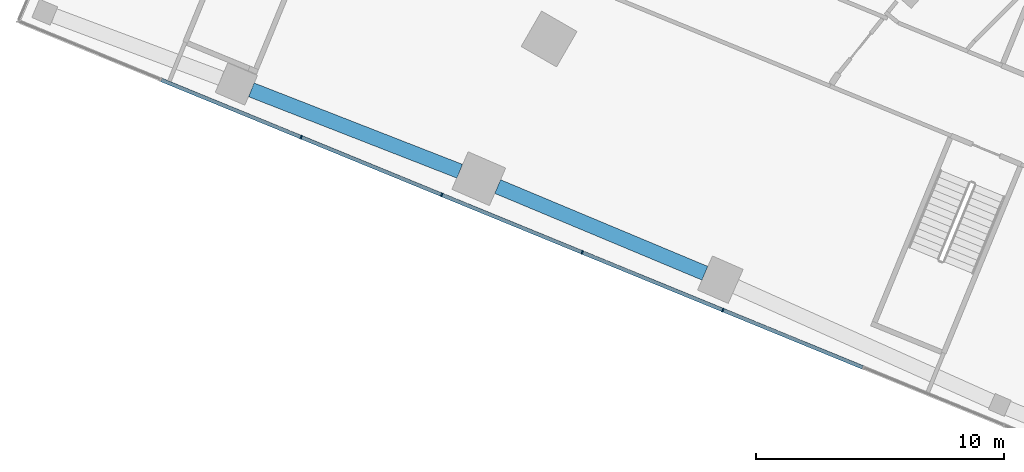
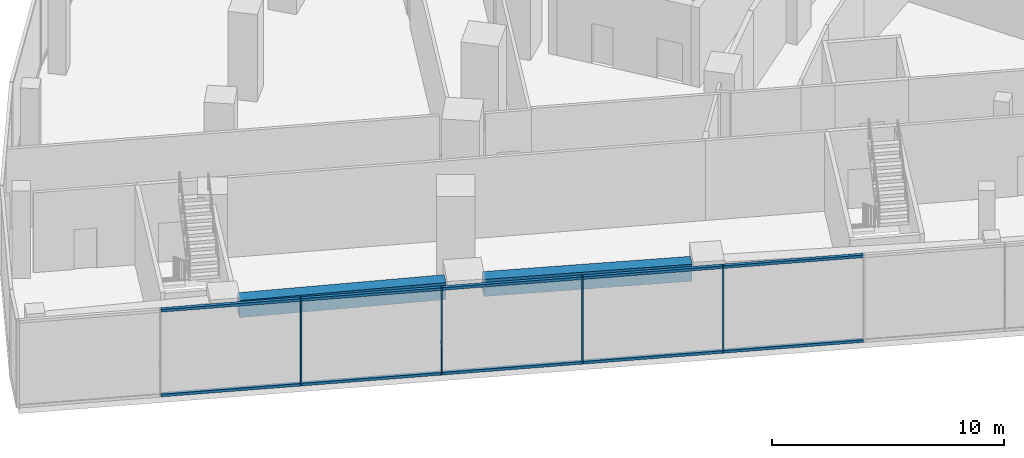
# One storey, part 2 of 39: 14 members, 2 beams, 1 element without a shape of its own.
"""IFC4 building model written with IfcOpenShell, lengths in metres."""

from ifc_helpers import new_model, si_unit, direction, frame, origin, origin_2d, place, context, subcontext, project, spatial, rectangle, extrude, material, layer, layer_set, material_profile, profile_set, type_object, element, aggregate, save


model = new_model("IFC4")

# Units and contexts
model_context = context("Model", 3, precision=1e-05, world=origin(), true_north=direction((0.0, 1.0)))
body_context = subcontext(model_context, "Body", "Model", "MODEL_VIEW")
ifc_project = project(units=[si_unit("LENGTHUNIT", "METRE"), si_unit("AREAUNIT", "SQUARE_METRE"), si_unit("VOLUMEUNIT", "CUBIC_METRE"), si_unit("PLANEANGLEUNIT", "RADIAN"), si_unit("MASSUNIT", "GRAM", prefix="KILO")], contexts=[model_context])

# Site, building, storey
site_placement = place(None, origin())
site = spatial("IfcSite", under=ifc_project, at=site_placement, CompositionType="ELEMENT")
building_placement = place(site_placement, origin())
building = spatial("IfcBuilding", under=site, at=building_placement, Name="Stone Belt Terrace Tower", CompositionType="ELEMENT")
storey_placement = place(building_placement, frame((0.0, 0.0, 16.199951171875)))
storey = spatial("IfcBuildingStorey", under=building, at=storey_placement, Name="L03", CompositionType="ELEMENT", Elevation=16.199951171875)

# Curtain wall, members
ifc_material_1 = material(Name="Aluminium 6063-T6 anodised frame", Category="aluminium")
ifc_layer = layer(ifc_material_1, 0.14990234375)
ifc_layer_set = layer_set([ifc_layer], Name="CW-D podium shopfront")
curtain_wall_type = type_object("IfcCurtainWallType", Name="CW-D podium shopfront", PredefinedType="NOTDEFINED", material=ifc_layer_set)
curtain_wall_placement = place(storey_placement, origin())
curtain_wall = element("IfcCurtainWall", 1, at=curtain_wall_placement, inside=storey, type_object=curtain_wall_type, Name="CW-D end face L03", PredefinedType="NOTDEFINED")
ifc_material_profile_1 = material_profile(ifc_material_1, rectangle(XDim=0.14990234375, YDim=0.06005859375, at=origin_2d()), Name="Aluminium 6063-T6 60x150")
ifc_profile_set_1 = profile_set([ifc_material_profile_1], Name="Aluminium 6063-T6 anodised frame")
member_type_1 = type_object("IfcMemberType", Name="CW-D mullion 60 x 150", PredefinedType="MULLION", material=ifc_profile_set_1)
member_1_placement = place(storey_placement, frame((-57.628173828125, 23.53857421875, 0.0), z_axis=(0.0, 0.0, 1.0), x_axis=(0.379243093825, 0.925297074342, 0.0)))
member_1 = element("IfcMember", 2, at=member_1_placement, type_object=member_type_1, Name="CW-D mullion 3", PredefinedType="MULLION", context=body_context, shape_type="SweptSolid", body=[
    extrude(rectangle(XDim=0.14990234375, YDim=0.06005859375, at=origin_2d()), origin(), (0.0, 0.0, 1.0), 4.60009765625),
])
member_2_placement = place(storey_placement, frame((-51.960693359375, 21.215576171875, 0.0), z_axis=(0.0, 0.0, 1.0), x_axis=(0.379243093825, 0.925297074342, 0.0)))
member_2 = element("IfcMember", 3, at=member_2_placement, type_object=member_type_1, Name="CW-D mullion 4", PredefinedType="MULLION", context=body_context, shape_type="SweptSolid", body=[
    extrude(rectangle(XDim=0.14990234375, YDim=0.06005859375, at=origin_2d()), origin(), (0.0, 0.0, 1.0), 4.60009765625),
])
member_3_placement = place(storey_placement, frame((-46.293212890625, 18.892822265625, 0.0), z_axis=(0.0, 0.0, 1.0), x_axis=(0.379243093825, 0.925297074342, 0.0)))
member_3 = element("IfcMember", 4, at=member_3_placement, type_object=member_type_1, Name="CW-D mullion 5", PredefinedType="MULLION", context=body_context, shape_type="SweptSolid", body=[
    extrude(rectangle(XDim=0.14990234375, YDim=0.06005859375, at=origin_2d()), origin(), (0.0, 0.0, 1.0), 4.60009765625),
])
member_4_placement = place(storey_placement, frame((-40.625732421875, 16.56982421875, 0.0), z_axis=(0.0, 0.0, 1.0), x_axis=(0.379243093825, 0.925297074342, 0.0)))
member_4 = element("IfcMember", 5, at=member_4_placement, type_object=member_type_1, Name="CW-D mullion 6", PredefinedType="MULLION", context=body_context, shape_type="SweptSolid", body=[
    extrude(rectangle(XDim=0.14990234375, YDim=0.06005859375, at=origin_2d()), origin(), (0.0, 0.0, 1.0), 4.60009765625),
])
ifc_material_profile_2 = material_profile(ifc_material_1, rectangle(XDim=0.14990234375, YDim=0.139892578125, at=origin_2d()), Name="Aluminium 6063-T6 150x140")
ifc_profile_set_2 = profile_set([ifc_material_profile_2], Name="Aluminium 6063-T6 anodised frame")
member_type_2 = type_object("IfcMemberType", Name="CW-D transom 140 x 150", PredefinedType="USERDEFINED", material=ifc_profile_set_2)
member_5_placement = place(storey_placement, frame((-63.267822265625, 25.849853515625, 0.070068359375), z_axis=(0.925297960053, -0.379240932814, 0.0), x_axis=(0.379240932814, 0.925297960053, 0.0)))
member_5 = element("IfcMember", 6, at=member_5_placement, type_object=member_type_2, Name="CW-D transom 2.1", ObjectType="TRANSOM", PredefinedType="USERDEFINED", context=body_context, shape_type="SweptSolid", body=[
    extrude(rectangle(XDim=0.14990234375, YDim=0.139892578125, at=origin_2d()), origin(), (0.0, 0.0, 1.0), 6.06494140625),
])
member_6_placement = place(storey_placement, frame((-63.267822265625, 25.849853515625, 4.530029296875), z_axis=(0.925297960053, -0.379240932814, 0.0), x_axis=(0.379240932814, 0.925297960053, 0.0)))
member_6 = element("IfcMember", 7, at=member_6_placement, type_object=member_type_2, Name="CW-D transom 2.2", ObjectType="TRANSOM", PredefinedType="USERDEFINED", context=body_context, shape_type="SweptSolid", body=[
    extrude(rectangle(XDim=0.14990234375, YDim=0.139892578125, at=origin_2d()), origin(), (0.0, 0.0, 1.0), 6.06494140625),
])
member_7_placement = place(storey_placement, frame((-57.600341796875, 23.527099609375, 0.070068359375), z_axis=(0.925297960053, -0.379240932814, 0.0), x_axis=(0.379240932814, 0.925297960053, 0.0)))
member_7 = element("IfcMember", 8, at=member_7_placement, type_object=member_type_2, Name="CW-D transom 3.1", ObjectType="TRANSOM", PredefinedType="USERDEFINED", context=body_context, shape_type="SweptSolid", body=[
    extrude(rectangle(XDim=0.14990234375, YDim=0.139892578125, at=origin_2d()), origin(), (0.0, 0.0, 1.0), 6.06494140625),
])
member_8_placement = place(storey_placement, frame((-57.600341796875, 23.527099609375, 4.530029296875), z_axis=(0.925297960053, -0.379240932814, 0.0), x_axis=(0.379240932814, 0.925297960053, 0.0)))
member_8 = element("IfcMember", 9, at=member_8_placement, type_object=member_type_2, Name="CW-D transom 3.2", ObjectType="TRANSOM", PredefinedType="USERDEFINED", context=body_context, shape_type="SweptSolid", body=[
    extrude(rectangle(XDim=0.14990234375, YDim=0.139892578125, at=origin_2d()), origin(), (0.0, 0.0, 1.0), 6.06494140625),
])
member_9_placement = place(storey_placement, frame((-51.932861328125, 21.204345703125, 0.070068359375), z_axis=(0.925283833763, -0.379275397273, 0.0), x_axis=(0.379275397273, 0.925283833763, 0.0)))
member_9 = element("IfcMember", 10, at=member_9_placement, type_object=member_type_2, Name="CW-D transom 4.1", ObjectType="TRANSOM", PredefinedType="USERDEFINED", context=body_context, shape_type="SweptSolid", body=[
    extrude(rectangle(XDim=0.14990234375, YDim=0.139892578125, at=origin_2d()), origin(), (0.0, 0.0, 1.0), 6.06494140625),
])
member_10_placement = place(storey_placement, frame((-51.932861328125, 21.204345703125, 4.530029296875), z_axis=(0.925283833763, -0.379275397273, 0.0), x_axis=(0.379275397273, 0.925283833763, 0.0)))
member_10 = element("IfcMember", 11, at=member_10_placement, type_object=member_type_2, Name="CW-D transom 4.2", ObjectType="TRANSOM", PredefinedType="USERDEFINED", context=body_context, shape_type="SweptSolid", body=[
    extrude(rectangle(XDim=0.14990234375, YDim=0.139892578125, at=origin_2d()), origin(), (0.0, 0.0, 1.0), 6.06494140625),
])
member_11_placement = place(storey_placement, frame((-46.265625, 18.88134765625, 0.070068359375), z_axis=(0.92530374933, -0.379226807432, 0.0), x_axis=(0.379226807432, 0.92530374933, 0.0)))
member_11 = element("IfcMember", 12, at=member_11_placement, type_object=member_type_2, Name="CW-D transom 5.1", ObjectType="TRANSOM", PredefinedType="USERDEFINED", context=body_context, shape_type="SweptSolid", body=[
    extrude(rectangle(XDim=0.14990234375, YDim=0.139892578125, at=origin_2d()), origin(), (0.0, 0.0, 1.0), 6.065185546875),
])
member_12_placement = place(storey_placement, frame((-46.265625, 18.88134765625, 4.530029296875), z_axis=(0.92530374933, -0.379226807432, 0.0), x_axis=(0.379226807432, 0.92530374933, 0.0)))
member_12 = element("IfcMember", 13, at=member_12_placement, type_object=member_type_2, Name="CW-D transom 5.2", ObjectType="TRANSOM", PredefinedType="USERDEFINED", context=body_context, shape_type="SweptSolid", body=[
    extrude(rectangle(XDim=0.14990234375, YDim=0.139892578125, at=origin_2d()), origin(), (0.0, 0.0, 1.0), 6.065185546875),
])
member_13_placement = place(storey_placement, frame((-40.59814453125, 16.55859375, 0.070068359375), z_axis=(0.925289624004, -0.379261271039, 0.0), x_axis=(0.379261271039, 0.925289624004, 0.0)))
member_13 = element("IfcMember", 14, at=member_13_placement, type_object=member_type_2, Name="CW-D transom 6.1", ObjectType="TRANSOM", PredefinedType="USERDEFINED", context=body_context, shape_type="SweptSolid", body=[
    extrude(rectangle(XDim=0.14990234375, YDim=0.139892578125, at=origin_2d()), origin(), (0.0, 0.0, 1.0), 6.065185546875),
])
member_14_placement = place(storey_placement, frame((-40.59814453125, 16.55859375, 4.530029296875), z_axis=(0.925289624004, -0.379261271039, 0.0), x_axis=(0.379261271039, 0.925289624004, 0.0)))
member_14 = element("IfcMember", 15, at=member_14_placement, type_object=member_type_2, Name="CW-D transom 6.2", ObjectType="TRANSOM", PredefinedType="USERDEFINED", context=body_context, shape_type="SweptSolid", body=[
    extrude(rectangle(XDim=0.14990234375, YDim=0.139892578125, at=origin_2d()), origin(), (0.0, 0.0, 1.0), 6.065185546875),
])
aggregate(curtain_wall, [member_1, member_2, member_3, member_4, member_5, member_6, member_7, member_8, member_9, member_10, member_11, member_12, member_13, member_14])

# Beams
ifc_material_2 = material(Name="Concrete B60", Category="concrete")
ifc_material_profile_3 = material_profile(ifc_material_2, rectangle(XDim=0.60009765625, YDim=0.89990234375, at=origin_2d()), Name="RC 600x900")
ifc_profile_set_3 = profile_set([ifc_material_profile_3], Name="Concrete B60")
beam_type = type_object("IfcBeamType", Name="Edge beam RC 600x900 B60", PredefinedType="SPANDREL", material=ifc_profile_set_3)
beam_1_placement = place(storey_placement, frame((-41.35009765625, 18.05517578125, 3.75), z_axis=(-0.922576038767, 0.385815309044, 0.0), x_axis=(-0.385815309044, -0.922576038767, 0.0)))
element("IfcBeam", 16, at=beam_1_placement, inside=storey, type_object=beam_type, Name="Edge beam L03 A P to Q", PredefinedType="SPANDREL", context=body_context, shape_type="SweptSolid", body=[
    extrude(rectangle(XDim=0.60009765625, YDim=0.89990234375, at=origin_2d()), origin(), (0.0, 0.0, 1.0), 9.055908203125),
])
beam_2_placement = place(storey_placement, frame((-51.235107421875, 22.167724609375, 3.75), z_axis=(-0.931488596429, 0.363770524813, 0.0), x_axis=(-0.363770524813, -0.931488596429, 0.0)))
element("IfcBeam", 17, at=beam_2_placement, inside=storey, type_object=beam_type, Name="Edge beam L03 A Q to R", PredefinedType="SPANDREL", context=body_context, shape_type="SweptSolid", body=[
    extrude(rectangle(XDim=0.60009765625, YDim=0.89990234375, at=origin_2d()), origin(), (0.0, 0.0, 1.0), 9.018798828125),
])

save(model, "model.ifc")
